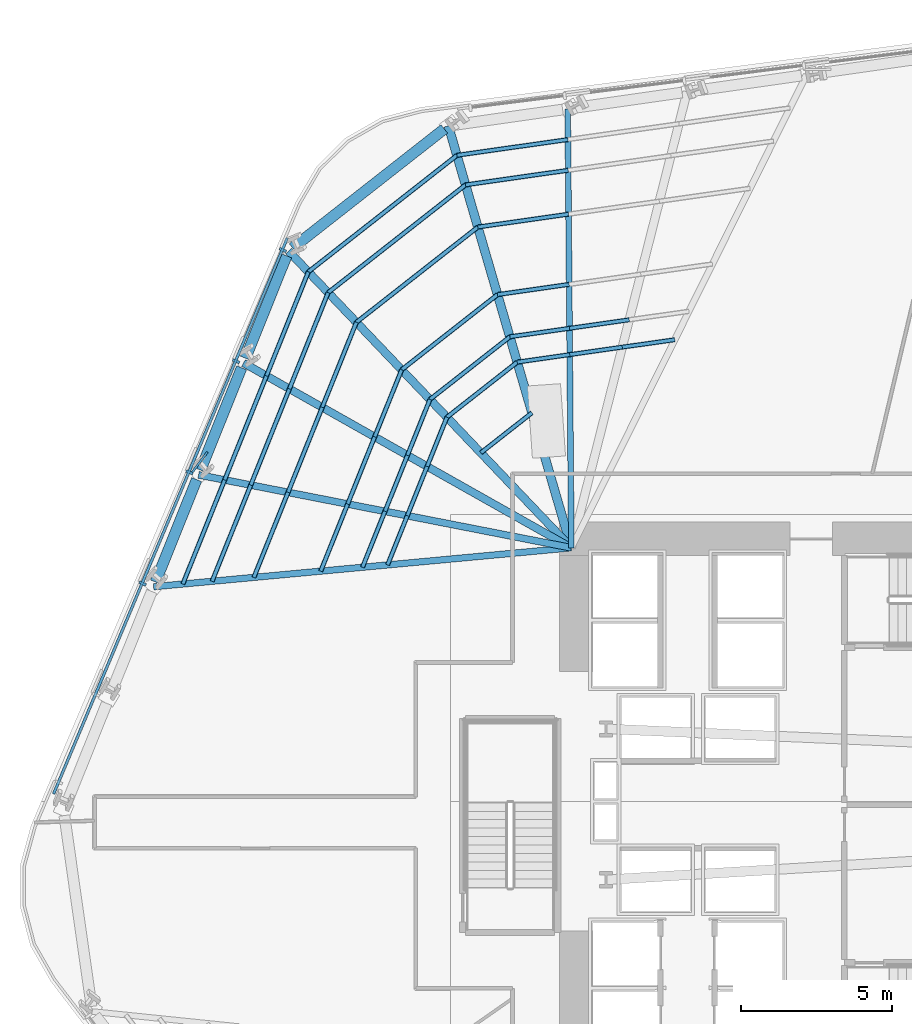
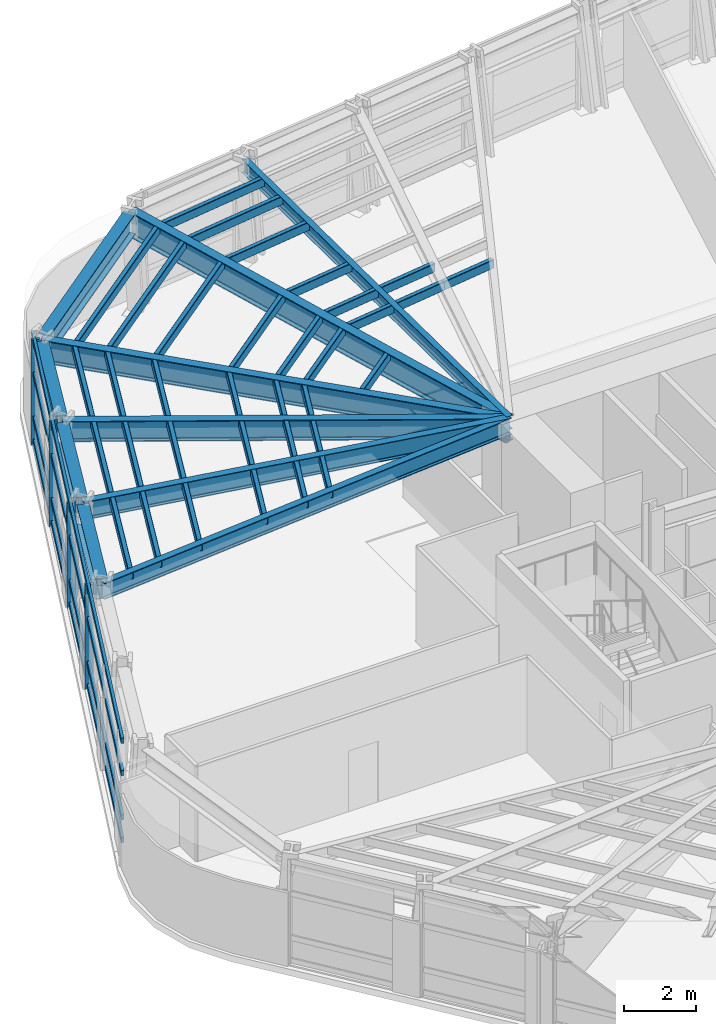
# One storey, part 5 of 16: 43 members, 10 beams, 1 element without a shape of its own.
"""IFC4 building model written with IfcOpenShell, lengths in metres."""

from ifc_helpers import new_model, si_unit, direction, frame, origin, origin_2d, place, context, subcontext, project, spatial, rectangle, hollow_rectangle, i_section, extrude, material, layer, layer_set, material_profile, profile_set, type_object, element, aggregate, save


model = new_model("IFC4")

# Units and contexts
model_context = context("Model", 3, precision=1e-05, world=origin(), true_north=direction((0.0, 1.0)))
body_context = subcontext(model_context, "Body", "Model", "MODEL_VIEW")
ifc_project = project(units=[si_unit("LENGTHUNIT", "METRE"), si_unit("AREAUNIT", "SQUARE_METRE"), si_unit("VOLUMEUNIT", "CUBIC_METRE"), si_unit("PLANEANGLEUNIT", "RADIAN"), si_unit("MASSUNIT", "GRAM", prefix="KILO")], contexts=[model_context])

# Site, building, storey
site_placement = place(None, origin())
site = spatial("IfcSite", under=ifc_project, at=site_placement, CompositionType="ELEMENT")
building_placement = place(site_placement, origin())
building = spatial("IfcBuilding", under=site, at=building_placement, Name="Valkerne Bourse Tower", CompositionType="ELEMENT")
storey_placement = place(building_placement, frame((0.0, 0.0, 54.39990234375)))
storey = spatial("IfcBuildingStorey", under=building, at=storey_placement, Name="L13", CompositionType="ELEMENT", Elevation=54.39990234375)

# Beams
ifc_material_1 = material(Name="Steel ASTM A992", Category="steel")
ifc_material_profile_1 = material_profile(ifc_material_1, i_section(OverallWidth=0.1904296875, OverallDepth=0.457275390625, WebThickness=0.009033203125, FlangeThickness=0.014404296875, FilletRadius=0.01513671875, at=origin_2d()), Name="W18X50")
ifc_profile_set_1 = profile_set([ifc_material_profile_1], Name="Steel ASTM A992")
beam_type_1 = type_object("IfcBeamType", Name="BM-W18X50", PredefinedType="JOIST", material=ifc_profile_set_1)
beam_1_placement = place(storey_placement, frame((37.4794921875, 49.947998046875, 3.3515625), z_axis=(0.008289835801, -0.999965638721, 0.0), x_axis=(0.999965638721, 0.008289835801, 0.0)))
element("IfcBeam", 1, at=beam_1_placement, inside=storey, type_object=beam_type_1, Name="L13 Radial Composite Floor Beam 10", PredefinedType="JOIST", context=body_context, shape_type="SweptSolid", body=[
    extrude(i_section(OverallWidth=0.1904296875, OverallDepth=0.457275390625, WebThickness=0.009033203125, FlangeThickness=0.014404296875, FilletRadius=0.01513671875, at=origin_2d()), origin(), (0.0, 0.0, 1.0), 14.548583984375),
])
ifc_material_profile_2 = material_profile(ifc_material_1, i_section(OverallWidth=0.2138671875, OverallDepth=0.548583984375, WebThickness=0.0146484375, FlangeThickness=0.023681640625, FilletRadius=0.017822265625, at=origin_2d()), Name="W21X93")
ifc_profile_set_2 = profile_set([ifc_material_profile_2], Name="Steel ASTM A992")
beam_type_2 = type_object("IfcBeamType", Name="BM-W21X93", PredefinedType="BEAM", material=ifc_profile_set_2)
beam_2_placement = place(storey_placement, frame((23.7568359375, 34.10986328125, 3.305908203125), z_axis=(0.995685987046, 0.092786934421, 0.0), x_axis=(-0.092786934421, 0.995685987046, 0.0)))
element("IfcBeam", 2, at=beam_2_placement, inside=storey, type_object=beam_type_2, Name="L13 Radial Composite Floor Beam 15", PredefinedType="BEAM", context=body_context, shape_type="SweptSolid", body=[
    extrude(i_section(OverallWidth=0.2138671875, OverallDepth=0.548583984375, WebThickness=0.0146484375, FlangeThickness=0.023681640625, FilletRadius=0.017822265625, at=origin_2d()), origin(), (0.0, 0.0, 1.0), 13.9033203125),
])
ifc_material_profile_3 = material_profile(ifc_material_1, i_section(OverallWidth=0.228271484375, OverallDepth=0.607177734375, WebThickness=0.01123046875, FlangeThickness=0.017333984375, FilletRadius=0.017822265625, at=origin_2d()), Name="W24X76")
ifc_profile_set_3 = profile_set([ifc_material_profile_3], Name="Steel ASTM A992")
beam_type_3 = type_object("IfcBeamType", Name="BM-W24X76", PredefinedType="JOIST", material=ifc_profile_set_3)
beam_3_placement = place(storey_placement, frame((25.247314453125, 37.8173828125, 3.276611328125), z_axis=(0.981383198415, -0.192059933014, 0.0), x_axis=(0.192059933014, 0.981383198415, 0.0)))
element("IfcBeam", 3, at=beam_3_placement, inside=storey, type_object=beam_type_3, Name="L13 Radial Composite Floor Beam 14", PredefinedType="JOIST", context=body_context, shape_type="SweptSolid", body=[
    extrude(i_section(OverallWidth=0.228271484375, OverallDepth=0.607177734375, WebThickness=0.01123046875, FlangeThickness=0.017333984375, FilletRadius=0.017822265625, at=origin_2d()), origin(), (0.0, 0.0, 1.0), 12.587158203125),
])
ifc_material_profile_4 = material_profile(ifc_material_1, i_section(OverallWidth=0.255859375, OverallDepth=0.693359375, WebThickness=0.014404296875, FlangeThickness=0.023681640625, FilletRadius=0.02294921875, at=origin_2d()), Name="W27X114")
ifc_profile_set_4 = profile_set([ifc_material_profile_4], Name="Steel ASTM A992")
beam_type_4 = type_object("IfcBeamType", Name="BM-W27X114", PredefinedType="BEAM", material=ifc_profile_set_4)
beam_4_placement = place(storey_placement, frame((26.73779296875, 41.525146484375, 3.2333984375), z_axis=(0.871054288285, -0.491186753547, 0.0), x_axis=(0.491186753547, 0.871054288285, 0.0)))
element("IfcBeam", 4, at=beam_4_placement, inside=storey, type_object=beam_type_4, Name="L13 Radial Composite Floor Beam 13", PredefinedType="BEAM", context=body_context, shape_type="SweptSolid", body=[
    extrude(i_section(OverallWidth=0.255859375, OverallDepth=0.693359375, WebThickness=0.014404296875, FlangeThickness=0.023681640625, FilletRadius=0.02294921875, at=origin_2d()), origin(), (0.0, 0.0, 1.0), 12.47021484375),
])
ifc_material_profile_5 = material_profile(ifc_material_1, i_section(OverallWidth=0.358154296875, OverallDepth=0.7060546875, WebThickness=0.018310546875, FlangeThickness=0.0302734375, FilletRadius=0.02294921875, at=origin_2d()), Name="W27X178")
ifc_profile_set_5 = profile_set([ifc_material_profile_5], Name="Steel ASTM A992")
beam_type_5 = type_object("IfcBeamType", Name="BM-W27X178", PredefinedType="SPANDREL", material=ifc_profile_set_5)
beam_5_placement = place(storey_placement, frame((33.3896484375, 49.27978515625, 3.22705078125), z_axis=(-0.786934549838, -0.617036477261, 0.0), x_axis=(0.617036477261, -0.786934549838, 0.0)))
element("IfcBeam", 5, at=beam_5_placement, inside=storey, type_object=beam_type_5, Name="L13 Hexagonal Spandrel Ring Beam 11", PredefinedType="SPANDREL", context=body_context, shape_type="SweptSolid", body=[
    extrude(i_section(OverallWidth=0.358154296875, OverallDepth=0.7060546875, WebThickness=0.018310546875, FlangeThickness=0.0302734375, FilletRadius=0.02294921875, at=origin_2d()), origin(), (0.0, 0.0, 1.0), 6.388916015625),
])
beam_6_placement = place(storey_placement, frame((28.164794921875, 45.0751953125, 3.22705078125), z_axis=(-0.373001913109, -0.927830573336, 0.0), x_axis=(0.927830573336, -0.373001913109, 0.0)))
element("IfcBeam", 6, at=beam_6_placement, inside=storey, type_object=beam_type_5, Name="L13 Hexagonal Spandrel Ring Beam 12", PredefinedType="SPANDREL", context=body_context, shape_type="SweptSolid", body=[
    extrude(i_section(OverallWidth=0.358154296875, OverallDepth=0.7060546875, WebThickness=0.018310546875, FlangeThickness=0.0302734375, FilletRadius=0.02294921875, at=origin_2d()), origin(), (0.0, 0.0, 1.0), 3.65625),
])
for number, where, z_axis, x_axis, name in (
    (7, (26.67431640625, 41.367431640625, 3.22705078125), (-0.372944426895, -0.927853681594, 0.0), (0.927853681594, -0.372944426895, 0.0), "L13 Hexagonal Spandrel Ring Beam 13"),
    (8, (25.183837890625, 37.659912109375, 3.22705078125), (-0.372944426895, -0.927853681594, 0.0), (0.927853681594, -0.372944426895, 0.0), "L13 Hexagonal Spandrel Ring Beam 14"),
):
    element("IfcBeam", number, at=place(storey_placement, frame(where, z_axis=z_axis, x_axis=x_axis)), inside=storey, type_object=beam_type_5, Name=name, PredefinedType="SPANDREL", context=body_context, shape_type="SweptSolid", body=[
        extrude(i_section(OverallWidth=0.358154296875, OverallDepth=0.7060546875, WebThickness=0.018310546875, FlangeThickness=0.0302734375, FilletRadius=0.02294921875, at=origin_2d()), origin(), (0.0, 0.0, 1.0), 3.656005859375),
    ])
ifc_material_profile_6 = material_profile(ifc_material_1, i_section(OverallWidth=0.26806640625, OverallDepth=0.76953125, WebThickness=0.015625, FlangeThickness=0.025390625, FilletRadius=0.025390625, at=origin_2d()), Name="W30X132")
ifc_profile_set_6 = profile_set([ifc_material_profile_6], Name="Steel ASTM A992")
beam_type_6 = type_object("IfcBeamType", Name="BM-W30X132", PredefinedType="BEAM", material=ifc_profile_set_6)
beam_7_placement = place(storey_placement, frame((28.228271484375, 45.23291015625, 3.1953125), z_axis=(0.689927538789, -0.72387843677, 0.0), x_axis=(0.72387843677, 0.689927538789, 0.0)))
element("IfcBeam", 9, at=beam_7_placement, inside=storey, type_object=beam_type_6, Name="L13 Radial Composite Floor Beam 12", PredefinedType="BEAM", context=body_context, shape_type="SweptSolid", body=[
    extrude(i_section(OverallWidth=0.26806640625, OverallDepth=0.76953125, WebThickness=0.015625, FlangeThickness=0.025390625, FilletRadius=0.025390625, at=origin_2d()), origin(), (0.0, 0.0, 1.0), 13.583740234375),
])
ifc_material_profile_7 = material_profile(ifc_material_1, i_section(OverallWidth=0.2919921875, OverallDepth=0.8583984375, WebThickness=0.01708984375, FlangeThickness=0.031005859375, FilletRadius=0.025390625, at=origin_2d()), Name="W33X169")
ifc_profile_set_7 = profile_set([ifc_material_profile_7], Name="Steel ASTM A992")
beam_type_7 = type_object("IfcBeamType", Name="BM-W33X169", PredefinedType="BEAM", material=ifc_profile_set_7)
beam_8_placement = place(storey_placement, frame((33.5234375, 49.384765625, 3.15087890625), z_axis=(0.279857121944, -0.96004166123, 0.0), x_axis=(0.96004166123, 0.279857121944, 0.0)))
element("IfcBeam", 10, at=beam_8_placement, inside=storey, type_object=beam_type_7, Name="L13 Radial Composite Floor Beam 11", PredefinedType="BEAM", context=body_context, shape_type="SweptSolid", body=[
    extrude(i_section(OverallWidth=0.2919921875, OverallDepth=0.8583984375, WebThickness=0.01708984375, FlangeThickness=0.031005859375, FilletRadius=0.025390625, at=origin_2d()), origin(), (0.0, 0.0, 1.0), 14.56689453125),
])

# Curtain wall, members
ifc_material_2 = material(Name="Aluminium AA 6063-T6", Category="aluminium")
ifc_layer = layer(ifc_material_2, 0.22509765625)
ifc_layer_set = layer_set([ifc_layer], Name="Aluminium AA 6063-T6")
curtain_wall_type = type_object("IfcCurtainWallType", Name="CW-01", PredefinedType="NOTDEFINED", material=ifc_layer_set)
curtain_wall_placement = place(storey_placement, origin())
curtain_wall = element("IfcCurtainWall", 11, at=curtain_wall_placement, inside=storey, type_object=curtain_wall_type, Name="L13 Hexagonal Stick Curtain Wall Face 3", PredefinedType="NOTDEFINED")
ifc_material_profile_8 = material_profile(ifc_material_2, rectangle(XDim=0.090087890625, YDim=0.239990234375, at=origin_2d()), Name="CWM-90X240")
ifc_profile_set_8 = profile_set([ifc_material_profile_8], Name="Aluminium AA 6063-T6")
member_type_1 = type_object("IfcMemberType", Name="CW-MUL-240X90", PredefinedType="MULLION", material=ifc_profile_set_8)
member_1_placement = place(storey_placement, frame((28.040771484375, 45.266845703125, 0.0), z_axis=(0.0, 0.0, 1.0), x_axis=(-0.387509858952, -0.921865559187, 0.0)))
member_1 = element("IfcMember", 12, at=member_1_placement, type_object=member_type_1, Name="CW-L13-F3 Jamb Mullion 00A", PredefinedType="MULLION", context=body_context, shape_type="SweptSolid", body=[
    extrude(rectangle(XDim=0.090087890625, YDim=0.239990234375, at=origin_2d()), origin(), (0.0, 0.0, 1.0), 3.580078125),
])
member_2_placement = place(storey_placement, frame((26.4921875, 41.5830078125, 0.0), z_axis=(0.0, 0.0, 1.0), x_axis=(-0.387509858952, -0.921865559187, 0.0)))
member_2 = element("IfcMember", 13, at=member_2_placement, type_object=member_type_1, Name="CW-L13-F3 Jamb Mullion 01A", PredefinedType="MULLION", context=body_context, shape_type="SweptSolid", body=[
    extrude(rectangle(XDim=0.090087890625, YDim=0.239990234375, at=origin_2d()), origin(), (0.0, 0.0, 1.0), 3.580078125),
])
member_3_placement = place(storey_placement, frame((24.943603515625, 37.8994140625, 0.0), z_axis=(0.0, 0.0, 1.0), x_axis=(-0.387540065854, -0.921852861013, 0.0)))
member_3 = element("IfcMember", 14, at=member_3_placement, type_object=member_type_1, Name="CW-L13-F3 Jamb Mullion 02A", PredefinedType="MULLION", context=body_context, shape_type="SweptSolid", body=[
    extrude(rectangle(XDim=0.090087890625, YDim=0.239990234375, at=origin_2d()), origin(), (0.0, 0.0, 1.0), 3.580078125),
])
member_4_placement = place(storey_placement, frame((23.39501953125, 34.215576171875, 0.0), z_axis=(0.0, 0.0, 1.0), x_axis=(-0.387509858952, -0.921865559187, 0.0)))
member_4 = element("IfcMember", 15, at=member_4_placement, type_object=member_type_1, Name="CW-L13-F3 Jamb Mullion 03A", PredefinedType="MULLION", context=body_context, shape_type="SweptSolid", body=[
    extrude(rectangle(XDim=0.090087890625, YDim=0.239990234375, at=origin_2d()), origin(), (0.0, 0.0, 1.0), 3.580078125),
])
ifc_material_profile_9 = material_profile(ifc_material_2, rectangle(XDim=0.090087890625, YDim=0.179931640625, at=origin_2d()), Name="CWT-90X180")
ifc_profile_set_9 = profile_set([ifc_material_profile_9], Name="Aluminium AA 6063-T6")
member_type_2 = type_object("IfcMemberType", Name="CW-TRN-180X90", PredefinedType="USERDEFINED", material=ifc_profile_set_9)
member_5_placement = place(storey_placement, frame((28.18505859375, 45.661865234375, 0.1201171875), z_axis=(-0.387518313392, -0.921862005284, 0.0), x_axis=(0.921862005284, -0.387518313392, 0.0)))
member_5 = element("IfcMember", 16, at=member_5_placement, type_object=member_type_2, Name="CW-L13-F3 Continuous Face Transom 1", ObjectType="TRANSOM", PredefinedType="USERDEFINED", context=body_context, shape_type="SweptSolid", body=[
    extrude(rectangle(XDim=0.090087890625, YDim=0.179931640625, at=origin_2d()), origin(), (0.0, 0.0, 1.0), 19.980224609375),
])
member_6_placement = place(storey_placement, frame((28.18505859375, 45.661865234375, 0.900146484375), z_axis=(-0.387518313392, -0.921862005284, 0.0), x_axis=(0.921862005284, -0.387518313392, 0.0)))
member_6 = element("IfcMember", 17, at=member_6_placement, type_object=member_type_2, Name="CW-L13-F3 Continuous Face Transom 2", ObjectType="TRANSOM", PredefinedType="USERDEFINED", context=body_context, shape_type="SweptSolid", body=[
    extrude(rectangle(XDim=0.090087890625, YDim=0.179931640625, at=origin_2d()), origin(), (0.0, 0.0, 1.0), 19.980224609375),
])
member_7_placement = place(storey_placement, frame((28.18505859375, 45.661865234375, 2.400146484375), z_axis=(-0.387518313392, -0.921862005284, 0.0), x_axis=(0.921862005284, -0.387518313392, 0.0)))
member_7 = element("IfcMember", 18, at=member_7_placement, type_object=member_type_2, Name="CW-L13-F3 Continuous Face Transom 3", ObjectType="TRANSOM", PredefinedType="USERDEFINED", context=body_context, shape_type="SweptSolid", body=[
    extrude(rectangle(XDim=0.090087890625, YDim=0.179931640625, at=origin_2d()), origin(), (0.0, 0.0, 1.0), 19.980224609375),
])
member_8_placement = place(storey_placement, frame((28.18505859375, 45.661865234375, 3.5), z_axis=(-0.387518313392, -0.921862005284, 0.0), x_axis=(0.921862005284, -0.387518313392, 0.0)))
member_8 = element("IfcMember", 19, at=member_8_placement, type_object=member_type_2, Name="CW-L13-F3 Continuous Face Transom 4", ObjectType="TRANSOM", PredefinedType="USERDEFINED", context=body_context, shape_type="SweptSolid", body=[
    extrude(rectangle(XDim=0.090087890625, YDim=0.179931640625, at=origin_2d()), origin(), (0.0, 0.0, 1.0), 19.980224609375),
])
aggregate(curtain_wall, [member_5, member_6, member_7, member_8, member_1, member_2, member_3, member_4])

# Members
ifc_material_3 = material(Name="Bronze Anodised Aluminium AA 6063-T6", Category="aluminium")
ifc_material_profile_10 = material_profile(ifc_material_3, rectangle(XDim=0.070068359375, YDim=0.89990234375, at=origin_2d()), Name="FIN-70X900")
ifc_profile_set_10 = profile_set([ifc_material_profile_10], Name="Bronze Anodised Aluminium AA 6063-T6")
member_type_3 = type_object("IfcMemberType", Name="FIN-SOLAR-900", PredefinedType="USERDEFINED", material=ifc_profile_set_10)
member_9_placement = place(storey_placement, frame((25.2724609375, 38.216796875, 0.004150390625), z_axis=(0.0, 0.0, 1.0), x_axis=(-0.800958337282, 0.598720086467, 0.0)))
element("IfcMember", 20, at=member_9_placement, inside=storey, type_object=member_type_3, Name="L13 Bronze Anodised Solar Fin F3-02", ObjectType="SOLAR_FIN", PredefinedType="USERDEFINED", context=body_context, shape_type="SweptSolid", body=[
    extrude(rectangle(XDim=0.070068359375, YDim=0.89990234375, at=origin_2d()), origin(), (0.0, 0.0, 1.0), 3.572021484375),
])
ifc_material_4 = material(Name="Steel ASTM A500 Grade C", Category="steel")
ifc_material_profile_11 = material_profile(ifc_material_4, hollow_rectangle(XDim=0.14990234375, YDim=0.300048828125, WallThickness=0.012451171875, OuterFilletRadius=0.02490234375, at=origin_2d()), Name="HSS300X150X12.5")
ifc_profile_set_11 = profile_set([ifc_material_profile_11], Name="Steel ASTM A500 Grade C")
member_type_4 = type_object("IfcMemberType", Name="MBR-HSS300X150X12.5", PredefinedType="PURLIN", material=ifc_profile_set_11)
member_10_placement = place(storey_placement, frame((36.29541015625, 39.875, 3.420166015625), z_axis=(-0.786916032031, -0.617060093129, 0.0), x_axis=(0.617060093129, -0.786916032031, 0.0)))
element("IfcMember", 21, at=member_10_placement, inside=storey, type_object=member_type_4, Name="L13 Secondary Composite Floor Purlin I-11", PredefinedType="PURLIN", context=body_context, shape_type="SweptSolid", body=[
    extrude(hollow_rectangle(XDim=0.14990234375, YDim=0.300048828125, WallThickness=0.012451171875, OuterFilletRadius=0.02490234375, at=origin_2d()), origin(), (0.0, 0.0, 1.0), 2.153076171875),
])
member_11_placement = place(storey_placement, frame((41.0283203125, 42.296630859375, 3.420166015625), z_axis=(-0.990016042089, -0.140954731761, 0.0), x_axis=(0.140954731761, -0.990016042089, 0.0)))
element("IfcMember", 22, at=member_11_placement, inside=storey, type_object=member_type_4, Name="L13 Secondary Composite Floor Purlin K-08", PredefinedType="PURLIN", context=body_context, shape_type="SweptSolid", body=[
    extrude(hollow_rectangle(XDim=0.14990234375, YDim=0.300048828125, WallThickness=0.012451171875, OuterFilletRadius=0.02490234375, at=origin_2d()), origin(), (0.0, 0.0, 1.0), 1.758056640625),
])
for number, where, z_axis, x_axis, name in (
    (23, (39.287841796875, 42.048828125, 3.420166015625), (-0.990018800655, -0.140935355213, 0.0), (0.140935355213, -0.990018800655, 0.0), "L13 Secondary Composite Floor Purlin K-09"),
    (24, (37.547119140625, 41.801025390625, 3.420166015625), (-0.990018800655, -0.140935355213, 0.0), (0.140935355213, -0.990018800655, 0.0), "L13 Secondary Composite Floor Purlin K-10"),
):
    element("IfcMember", number, at=place(storey_placement, frame(where, z_axis=z_axis, x_axis=x_axis)), inside=storey, type_object=member_type_4, Name=name, PredefinedType="PURLIN", context=body_context, shape_type="SweptSolid", body=[
        extrude(hollow_rectangle(XDim=0.14990234375, YDim=0.300048828125, WallThickness=0.012451171875, OuterFilletRadius=0.02490234375, at=origin_2d()), origin(), (0.0, 0.0, 1.0), 1.75830078125),
    ])
member_12_placement = place(storey_placement, frame((35.806396484375, 41.55322265625, 3.420166015625), z_axis=(-0.786953114961, -0.617012799586, 0.0), x_axis=(0.617012799586, -0.786953114961, 0.0)))
element("IfcMember", 25, at=member_12_placement, inside=storey, type_object=member_type_4, Name="L13 Secondary Composite Floor Purlin K-11", PredefinedType="PURLIN", context=body_context, shape_type="SweptSolid", body=[
    extrude(hollow_rectangle(XDim=0.14990234375, YDim=0.300048828125, WallThickness=0.012451171875, OuterFilletRadius=0.02490234375, at=origin_2d()), origin(), (0.0, 0.0, 1.0), 2.9609375),
])
member_13_placement = place(storey_placement, frame((33.476318359375, 39.726318359375, 3.420166015625), z_axis=(-0.373018295163, -0.927823987335, 0.0), x_axis=(0.927823987335, -0.373018295163, 0.0)))
element("IfcMember", 26, at=member_13_placement, inside=storey, type_object=member_type_4, Name="L13 Secondary Composite Floor Purlin K-12", PredefinedType="PURLIN", context=body_context, shape_type="SweptSolid", body=[
    extrude(hollow_rectangle(XDim=0.14990234375, YDim=0.300048828125, WallThickness=0.012451171875, OuterFilletRadius=0.02490234375, at=origin_2d()), origin(), (0.0, 0.0, 1.0), 1.758056640625),
])
member_14_placement = place(storey_placement, frame((32.820556640625, 38.09521484375, 3.420166015625), z_axis=(-0.372922189941, -0.927862619276, 0.0), x_axis=(0.927862619276, -0.372922189941, 0.0)))
element("IfcMember", 27, at=member_14_placement, inside=storey, type_object=member_type_4, Name="L13 Secondary Composite Floor Purlin K-13", PredefinedType="PURLIN", context=body_context, shape_type="SweptSolid", body=[
    extrude(hollow_rectangle(XDim=0.14990234375, YDim=0.300048828125, WallThickness=0.012451171875, OuterFilletRadius=0.02490234375, at=origin_2d()), origin(), (0.0, 0.0, 1.0), 1.758544921875),
])
member_15_placement = place(storey_placement, frame((32.164794921875, 36.463623046875, 3.420166015625), z_axis=(-0.373018295163, -0.927823987335, 0.0), x_axis=(0.927823987335, -0.373018295163, 0.0)))
element("IfcMember", 28, at=member_15_placement, inside=storey, type_object=member_type_4, Name="L13 Secondary Composite Floor Purlin K-14", PredefinedType="PURLIN", context=body_context, shape_type="SweptSolid", body=[
    extrude(hollow_rectangle(XDim=0.14990234375, YDim=0.300048828125, WallThickness=0.012451171875, OuterFilletRadius=0.02490234375, at=origin_2d()), origin(), (0.0, 0.0, 1.0), 1.758056640625),
])
for number, where, z_axis, x_axis, name in (
    (29, (39.517822265625, 42.955322265625, 3.420166015625), (-0.990025112604, -0.140891008989, 0.0), (0.140891008989, -0.990025112604, 0.0), "L13 Secondary Composite Floor Purlin M-09"),
    (30, (37.539794921875, 42.673828125, 3.420166015625), (-0.990025112604, -0.140891008989, 0.0), (0.140891008989, -0.990025112604, 0.0), "L13 Secondary Composite Floor Purlin M-10"),
):
    element("IfcMember", number, at=place(storey_placement, frame(where, z_axis=z_axis, x_axis=x_axis)), inside=storey, type_object=member_type_4, Name=name, PredefinedType="PURLIN", context=body_context, shape_type="SweptSolid", body=[
        extrude(hollow_rectangle(XDim=0.14990234375, YDim=0.300048828125, WallThickness=0.012451171875, OuterFilletRadius=0.02490234375, at=origin_2d()), origin(), (0.0, 0.0, 1.0), 1.998046875),
    ])
member_16_placement = place(storey_placement, frame((35.561767578125, 42.392333984375, 3.420166015625), z_axis=(-0.78695497191, -0.617010431181, 0.0), x_axis=(0.617010431181, -0.78695497191, 0.0)))
element("IfcMember", 31, at=member_16_placement, inside=storey, type_object=member_type_4, Name="L13 Secondary Composite Floor Purlin M-11", PredefinedType="PURLIN", context=body_context, shape_type="SweptSolid", body=[
    extrude(hollow_rectangle(XDim=0.14990234375, YDim=0.300048828125, WallThickness=0.012451171875, OuterFilletRadius=0.02490234375, at=origin_2d()), origin(), (0.0, 0.0, 1.0), 3.364501953125),
])
member_17_placement = place(storey_placement, frame((32.9140625, 40.31640625, 3.420166015625), z_axis=(-0.373054429027, -0.927809459417, 0.0), x_axis=(0.927809459417, -0.373054429027, 0.0)))
element("IfcMember", 32, at=member_17_placement, inside=storey, type_object=member_type_4, Name="L13 Secondary Composite Floor Purlin M-12", PredefinedType="PURLIN", context=body_context, shape_type="SweptSolid", body=[
    extrude(hollow_rectangle(XDim=0.14990234375, YDim=0.300048828125, WallThickness=0.012451171875, OuterFilletRadius=0.02490234375, at=origin_2d()), origin(), (0.0, 0.0, 1.0), 1.998046875),
])
member_18_placement = place(storey_placement, frame((32.168701171875, 38.462646484375, 3.420166015625), z_axis=(-0.372949234612, -0.927851749151, 0.0), x_axis=(0.927851749151, -0.372949234612, 0.0)))
element("IfcMember", 33, at=member_18_placement, inside=storey, type_object=member_type_4, Name="L13 Secondary Composite Floor Purlin M-13", PredefinedType="PURLIN", context=body_context, shape_type="SweptSolid", body=[
    extrude(hollow_rectangle(XDim=0.14990234375, YDim=0.300048828125, WallThickness=0.012451171875, OuterFilletRadius=0.02490234375, at=origin_2d()), origin(), (0.0, 0.0, 1.0), 1.997802734375),
])
member_19_placement = place(storey_placement, frame((31.423583984375, 36.60888671875, 3.420166015625), z_axis=(-0.372906953321, -0.927868742962, 0.0), x_axis=(0.927868742962, -0.372906953321, 0.0)))
element("IfcMember", 34, at=member_19_placement, inside=storey, type_object=member_type_4, Name="L13 Secondary Composite Floor Purlin M-14", PredefinedType="PURLIN", context=body_context, shape_type="SweptSolid", body=[
    extrude(hollow_rectangle(XDim=0.14990234375, YDim=0.300048828125, WallThickness=0.012451171875, OuterFilletRadius=0.02490234375, at=origin_2d()), origin(), (0.0, 0.0, 1.0), 1.998046875),
])
member_20_placement = place(storey_placement, frame((37.508544921875, 46.456298828125, 3.420166015625), z_axis=(-0.990020114233, -0.140926127507, 0.0), x_axis=(0.140926127507, -0.990020114233, 0.0)))
element("IfcMember", 35, at=member_20_placement, inside=storey, type_object=member_type_4, Name="L13 Secondary Composite Floor Purlin O-10", PredefinedType="PURLIN", context=body_context, shape_type="SweptSolid", body=[
    extrude(hollow_rectangle(XDim=0.14990234375, YDim=0.300048828125, WallThickness=0.012451171875, OuterFilletRadius=0.02490234375, at=origin_2d()), origin(), (0.0, 0.0, 1.0), 3.036865234375),
])
member_21_placement = place(storey_placement, frame((34.501953125, 46.0283203125, 3.420166015625), z_axis=(-0.786955677233, -0.617009531588, 0.0), x_axis=(0.617009531588, -0.786955677233, 0.0)))
element("IfcMember", 36, at=member_21_placement, inside=storey, type_object=member_type_4, Name="L13 Secondary Composite Floor Purlin O-11", PredefinedType="PURLIN", context=body_context, shape_type="SweptSolid", body=[
    extrude(hollow_rectangle(XDim=0.14990234375, YDim=0.300048828125, WallThickness=0.012451171875, OuterFilletRadius=0.02490234375, at=origin_2d()), origin(), (0.0, 0.0, 1.0), 5.1142578125),
])
member_22_placement = place(storey_placement, frame((30.477294921875, 42.872802734375, 3.420166015625), z_axis=(-0.372956481374, -0.927848836288, 0.0), x_axis=(0.927848836288, -0.372956481374, 0.0)))
element("IfcMember", 37, at=member_22_placement, inside=storey, type_object=member_type_4, Name="L13 Secondary Composite Floor Purlin O-12", PredefinedType="PURLIN", context=body_context, shape_type="SweptSolid", body=[
    extrude(hollow_rectangle(XDim=0.14990234375, YDim=0.300048828125, WallThickness=0.012451171875, OuterFilletRadius=0.02490234375, at=origin_2d()), origin(), (0.0, 0.0, 1.0), 3.03662109375),
])
for number, where, z_axis, x_axis, name in (
    (38, (29.3447265625, 40.05517578125, 3.420166015625), (-0.372997868993, -0.927832199121, 0.0), (0.927832199121, -0.372997868993, 0.0), "L13 Secondary Composite Floor Purlin O-13"),
    (39, (28.2119140625, 37.2373046875, 3.420166015625), (-0.372997868993, -0.927832199121, 0.0), (0.927832199121, -0.372997868993, 0.0), "L13 Secondary Composite Floor Purlin O-14"),
):
    element("IfcMember", number, at=place(storey_placement, frame(where, z_axis=z_axis, x_axis=x_axis)), inside=storey, type_object=member_type_4, Name=name, PredefinedType="PURLIN", context=body_context, shape_type="SweptSolid", body=[
        extrude(hollow_rectangle(XDim=0.14990234375, YDim=0.300048828125, WallThickness=0.012451171875, OuterFilletRadius=0.02490234375, at=origin_2d()), origin(), (0.0, 0.0, 1.0), 3.037109375),
    ])
member_23_placement = place(storey_placement, frame((37.52783203125, 44.128662109375, 3.420166015625), z_axis=(-0.990034844774, -0.140822605196, 0.0), x_axis=(0.140822605196, -0.990034844774, 0.0)))
element("IfcMember", 40, at=member_23_placement, inside=storey, type_object=member_type_4, Name="L13 Secondary Composite Floor Purlin Z-10", PredefinedType="PURLIN", context=body_context, shape_type="SweptSolid", body=[
    extrude(hollow_rectangle(XDim=0.14990234375, YDim=0.300048828125, WallThickness=0.012451171875, OuterFilletRadius=0.02490234375, at=origin_2d()), origin(), (0.0, 0.0, 1.0), 2.397705078125),
])
member_24_placement = place(storey_placement, frame((35.154052734375, 43.791015625, 3.420166015625), z_axis=(-0.786943227256, -0.617025410398, 0.0), x_axis=(0.617025410398, -0.786943227256, 0.0)))
element("IfcMember", 41, at=member_24_placement, inside=storey, type_object=member_type_4, Name="L13 Secondary Composite Floor Purlin Z-11", PredefinedType="PURLIN", context=body_context, shape_type="SweptSolid", body=[
    extrude(hollow_rectangle(XDim=0.14990234375, YDim=0.300048828125, WallThickness=0.012451171875, OuterFilletRadius=0.02490234375, at=origin_2d()), origin(), (0.0, 0.0, 1.0), 4.037353515625),
])
member_25_placement = place(storey_placement, frame((31.976806640625, 41.2998046875, 3.420166015625), z_axis=(-0.372987737529, -0.927836272008, 0.0), x_axis=(0.927836272008, -0.372987737529, 0.0)))
element("IfcMember", 42, at=member_25_placement, inside=storey, type_object=member_type_4, Name="L13 Secondary Composite Floor Purlin Z-12", PredefinedType="PURLIN", context=body_context, shape_type="SweptSolid", body=[
    extrude(hollow_rectangle(XDim=0.14990234375, YDim=0.300048828125, WallThickness=0.012451171875, OuterFilletRadius=0.02490234375, at=origin_2d()), origin(), (0.0, 0.0, 1.0), 2.397705078125),
])
member_26_placement = place(storey_placement, frame((31.08251953125, 39.0751953125, 3.420166015625), z_axis=(-0.372900072765, -0.927871508201, 0.0), x_axis=(0.927871508201, -0.372900072765, 0.0)))
element("IfcMember", 43, at=member_26_placement, inside=storey, type_object=member_type_4, Name="L13 Secondary Composite Floor Purlin Z-13", PredefinedType="PURLIN", context=body_context, shape_type="SweptSolid", body=[
    extrude(hollow_rectangle(XDim=0.14990234375, YDim=0.300048828125, WallThickness=0.012451171875, OuterFilletRadius=0.02490234375, at=origin_2d()), origin(), (0.0, 0.0, 1.0), 2.3974609375),
])
member_27_placement = place(storey_placement, frame((30.1884765625, 36.8505859375, 3.420166015625), z_axis=(-0.372987737529, -0.927836272008, 0.0), x_axis=(0.927836272008, -0.372987737529, 0.0)))
element("IfcMember", 44, at=member_27_placement, inside=storey, type_object=member_type_4, Name="L13 Secondary Composite Floor Purlin Z-14", PredefinedType="PURLIN", context=body_context, shape_type="SweptSolid", body=[
    extrude(hollow_rectangle(XDim=0.14990234375, YDim=0.300048828125, WallThickness=0.012451171875, OuterFilletRadius=0.02490234375, at=origin_2d()), origin(), (0.0, 0.0, 1.0), 2.397705078125),
])
member_28_placement = place(storey_placement, frame((37.49658203125, 47.9111328125, 3.420166015625), z_axis=(-0.990027487638, -0.140874318885, 0.0), x_axis=(0.140874318885, -0.990027487638, 0.0)))
element("IfcMember", 45, at=member_28_placement, inside=storey, type_object=member_type_4, Name="L13 Secondary Composite Floor Purlin T-10", PredefinedType="PURLIN", context=body_context, shape_type="SweptSolid", body=[
    extrude(hollow_rectangle(XDim=0.14990234375, YDim=0.300048828125, WallThickness=0.012451171875, OuterFilletRadius=0.02490234375, at=origin_2d()), origin(), (0.0, 0.0, 1.0), 3.4365234375),
])
member_29_placement = place(storey_placement, frame((34.09423828125, 47.427001953125, 3.420166015625), z_axis=(-0.78693133974, -0.617040571223, 0.0), x_axis=(0.617040571223, -0.78693133974, 0.0)))
element("IfcMember", 46, at=member_29_placement, inside=storey, type_object=member_type_4, Name="L13 Secondary Composite Floor Purlin T-11", PredefinedType="PURLIN", context=body_context, shape_type="SweptSolid", body=[
    extrude(hollow_rectangle(XDim=0.14990234375, YDim=0.300048828125, WallThickness=0.012451171875, OuterFilletRadius=0.02490234375, at=origin_2d()), origin(), (0.0, 0.0, 1.0), 5.786865234375),
])
for number, where, z_axis, x_axis, name in (
    (47, (29.540283203125, 43.856201171875, 3.420166015625), (-0.37304366055, -0.927813789143, 0.0), (0.927813789143, -0.37304366055, 0.0), "L13 Secondary Composite Floor Purlin T-12"),
    (48, (28.25830078125, 40.667724609375, 3.420166015625), (-0.372896756866, -0.927872840813, 0.0), (0.927872840813, -0.372896756866, 0.0), "L13 Secondary Composite Floor Purlin T-13"),
    (49, (26.976806640625, 37.47900390625, 3.420166015625), (-0.37304366055, -0.927813789143, 0.0), (0.927813789143, -0.37304366055, 0.0), "L13 Secondary Composite Floor Purlin T-14"),
):
    element("IfcMember", number, at=place(storey_placement, frame(where, z_axis=z_axis, x_axis=x_axis)), inside=storey, type_object=member_type_4, Name=name, PredefinedType="PURLIN", context=body_context, shape_type="SweptSolid", body=[
        extrude(hollow_rectangle(XDim=0.14990234375, YDim=0.300048828125, WallThickness=0.012451171875, OuterFilletRadius=0.02490234375, at=origin_2d()), origin(), (0.0, 0.0, 1.0), 3.4365234375),
    ])
member_30_placement = place(storey_placement, frame((37.488037109375, 48.929443359375, 3.420166015625), z_axis=(-0.990030791813, -0.140851096062, 0.0), x_axis=(0.140851096062, -0.990030791813, 0.0)))
element("IfcMember", 50, at=member_30_placement, inside=storey, type_object=member_type_4, Name="L13 Secondary Composite Floor Purlin U-10", PredefinedType="PURLIN", context=body_context, shape_type="SweptSolid", body=[
    extrude(hollow_rectangle(XDim=0.14990234375, YDim=0.300048828125, WallThickness=0.012451171875, OuterFilletRadius=0.02490234375, at=origin_2d()), origin(), (0.0, 0.0, 1.0), 3.71630859375),
])
member_31_placement = place(storey_placement, frame((33.808837890625, 48.406005859375, 3.420166015625), z_axis=(-0.786917675245, -0.617057997588, 0.0), x_axis=(0.617057997588, -0.786917675245, 0.0)))
element("IfcMember", 51, at=member_31_placement, inside=storey, type_object=member_type_4, Name="L13 Secondary Composite Floor Purlin U-11", PredefinedType="PURLIN", context=body_context, shape_type="SweptSolid", body=[
    extrude(hollow_rectangle(XDim=0.14990234375, YDim=0.300048828125, WallThickness=0.012451171875, OuterFilletRadius=0.02490234375, at=origin_2d()), origin(), (0.0, 0.0, 1.0), 6.258056640625),
])
for number, where, z_axis, x_axis, name in (
    (52, (28.88427734375, 44.54443359375, 3.420166015625), (-0.373021173266, -0.927822830229, 0.0), (0.927822830229, -0.373021173266, 0.0), "L13 Secondary Composite Floor Purlin U-12"),
    (53, (27.498046875, 41.096435546875, 3.420166015625), (-0.372941882978, -0.9278547041, 0.0), (0.9278547041, -0.372941882978, 0.0), "L13 Secondary Composite Floor Purlin U-13"),
    (54, (26.112060546875, 37.648193359375, 3.420166015625), (-0.373021173266, -0.927822830229, 0.0), (0.927822830229, -0.373021173266, 0.0), "L13 Secondary Composite Floor Purlin U-14"),
):
    element("IfcMember", number, at=place(storey_placement, frame(where, z_axis=z_axis, x_axis=x_axis)), inside=storey, type_object=member_type_4, Name=name, PredefinedType="PURLIN", context=body_context, shape_type="SweptSolid", body=[
        extrude(hollow_rectangle(XDim=0.14990234375, YDim=0.300048828125, WallThickness=0.012451171875, OuterFilletRadius=0.02490234375, at=origin_2d()), origin(), (0.0, 0.0, 1.0), 3.71630859375),
    ])

save(model, "model.ifc")
